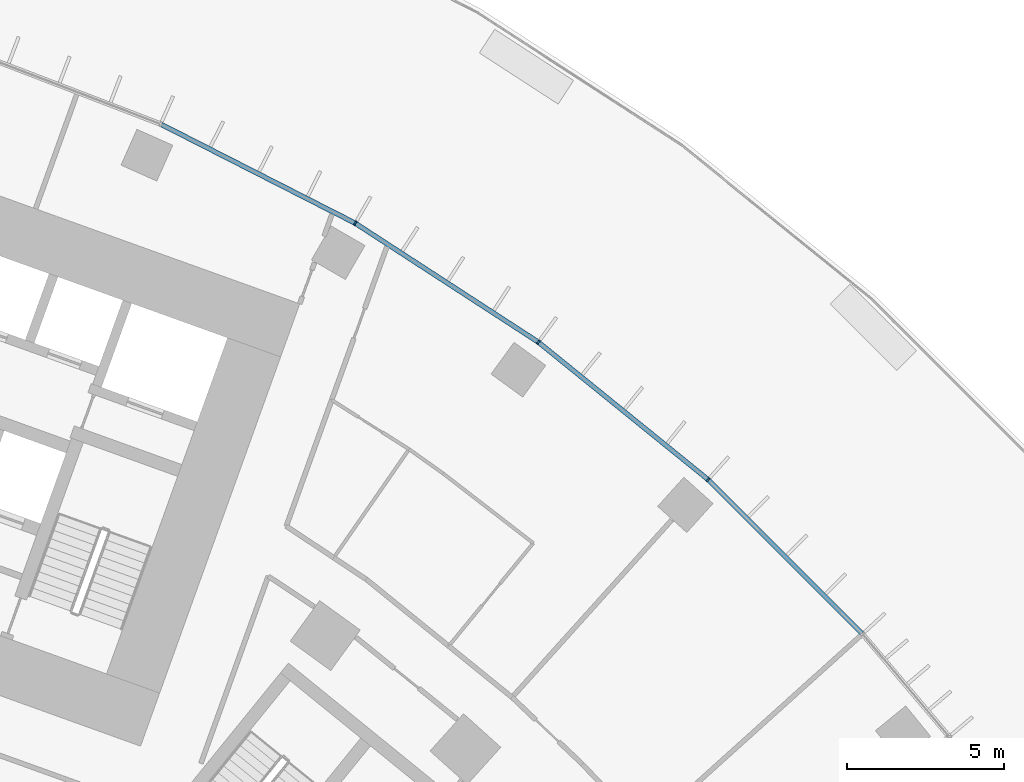
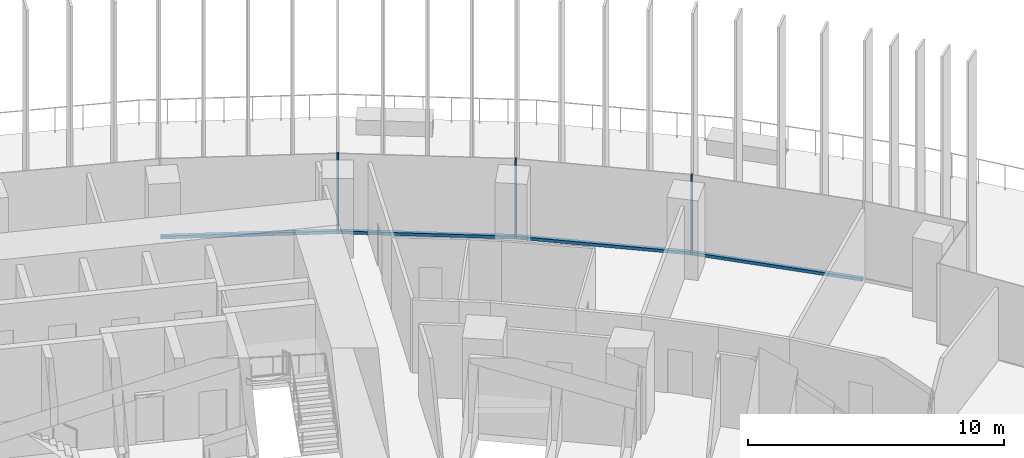
# One storey, part 11 of 24: 7 members, 1 element without a shape of its own.
"""IFC4 building model written with IfcOpenShell, lengths in metres."""

import ifcopenshell
import ifcopenshell.guid

model = None  # the IFC model being written
_history = None  # IfcOwnerHistory: only IFC2X3 demands one
_inside = {}  # id of a spatial element -> (the spatial element, [elements in it])
_under = {}  # id of a project, library or spatial element -> (it, [spatial elements below it])
_declared = {}  # id of a project -> (the project, [libraries it declares])
_typed = {}  # id of a type object -> (the type object, [elements of that type])
_made_of = {}  # id of a material, layer set ... -> (it, [elements and type objects made of it])


def new_model(schema):
    """Start an empty IFC model of exactly this schema.

    Asked for "IFC4X3", IfcOpenShell would pick the latest addendum, in which some entities
    have other attributes; the version numbers below select the first issue.
    IFC2X3 requires an IfcOwnerHistory on every rooted entity: one is made here for all.
    """
    global model, _history
    if schema == "IFC4X3":
        model = ifcopenshell.file(schema_version=(4, 3, 0, 0))
    else:
        model = ifcopenshell.file(schema=schema)
    _inside.clear()
    _under.clear()
    _declared.clear()
    _typed.clear()
    _made_of.clear()
    _history = None
    if model.schema == "IFC2X3":
        org = make("IfcOrganization", Name="unknown")
        user = make(
            "IfcPersonAndOrganization",
            ThePerson=make("IfcPerson", FamilyName="unknown"),
            TheOrganization=org,
        )
        app = make(
            "IfcApplication",
            ApplicationDeveloper=org,
            Version="unknown",
            ApplicationFullName="unknown",
            ApplicationIdentifier="unknown",
        )
        _history = make(
            "IfcOwnerHistory",
            OwningUser=user,
            OwningApplication=app,
            ChangeAction="ADDED",
            CreationDate=0,
        )
    return model


def make(cls, **values):
    """One entity of the class cls with the attributes given. An attribute that is None is left unset."""
    return model.create_entity(
        cls, **{name: value for name, value in values.items() if value is not None}
    )


def rooted(cls, **values):
    """An entity with a GlobalId (a new one), such as an element, a storey or a relation."""
    return make(cls, GlobalId=ifcopenshell.guid.new(), OwnerHistory=_history, **values)


def si_unit(unit_type, name, prefix=None):
    """IfcSIUnit, for example si_unit("LENGTHUNIT", "METRE", prefix="MILLI")."""
    return make("IfcSIUnit", UnitType=unit_type, Prefix=prefix, Name=name)


def assignment(units):
    """IfcUnitAssignment: the units of a project."""
    return None if units is None else make("IfcUnitAssignment", Units=units)


def point(xyz):
    """IfcCartesianPoint."""
    return None if xyz is None else make("IfcCartesianPoint", Coordinates=xyz)


def direction(xyz):
    """IfcDirection."""
    return None if xyz is None else make("IfcDirection", DirectionRatios=xyz)


def frame(location, z_axis=None, x_axis=None):
    """IfcAxis2Placement3D, a coordinate frame: its origin and axes. An axis left out is left unset."""
    return make(
        "IfcAxis2Placement3D",
        Location=point(location),
        Axis=direction(z_axis),
        RefDirection=direction(x_axis),
    )


def frame_2d(location, x_axis=None):
    """IfcAxis2Placement2D, a coordinate frame in the plane: its origin and x axis."""
    return make(
        "IfcAxis2Placement2D", Location=point(location), RefDirection=direction(x_axis)
    )


def origin():
    """The frame at (0, 0, 0) with its axes left unset."""
    return frame((0.0, 0.0, 0.0))


def origin_2d():
    """The frame at (0, 0) in the plane with its x axis left unset."""
    return frame_2d((0.0, 0.0))


def place(relative_to, where):
    """IfcLocalPlacement: puts the frame where relative to a parent placement (None: the world)."""
    return make(
        "IfcLocalPlacement", PlacementRelTo=relative_to, RelativePlacement=where
    )


def context(
    kind, dimensions, precision=None, world=None, true_north=None, identifier=None
):
    """IfcGeometricRepresentationContext, for example the 3D "Model" context."""
    return make(
        "IfcGeometricRepresentationContext",
        ContextIdentifier=identifier,
        ContextType=kind,
        CoordinateSpaceDimension=dimensions,
        Precision=precision,
        WorldCoordinateSystem=world,
        TrueNorth=true_north,
    )


def subcontext(parent, identifier, kind, view, scale=None):
    """IfcGeometricRepresentationSubContext, for example "Body" below "Model"."""
    return make(
        "IfcGeometricRepresentationSubContext",
        ContextIdentifier=identifier,
        ContextType=kind,
        ParentContext=parent,
        TargetScale=scale,
        TargetView=view,
    )


def project(units=None, contexts=None):
    """IfcProject with its units and contexts."""
    return rooted(
        "IfcProject",
        Name="project",
        RepresentationContexts=contexts,
        UnitsInContext=assignment(units),
    )


def spatial(cls, under=None, at=None, **own):
    """A site, building, storey or space (cls), placed at a placement, below another one or the project."""
    s = rooted(cls, ObjectPlacement=at, **own)
    if under is not None:
        _under.setdefault(under.id(), (under, []))[1].append(s)
    return s


def profile(cls, at=None, kind="AREA", **sizes):
    """A parametric profile (cls). Its sizes go by their IFC names, for example OverallWidth=200.0."""
    return make(cls, ProfileType=kind, Position=at, **sizes)


def rectangle(**sizes):
    """IfcRectangleProfileDef."""
    return profile("IfcRectangleProfileDef", **sizes)


def extrude(swept, where, along, depth):
    """IfcExtrudedAreaSolid: the profile swept, set in the frame where, extruded along a direction by depth."""
    return make(
        "IfcExtrudedAreaSolid",
        SweptArea=swept,
        Position=where,
        ExtrudedDirection=direction(along),
        Depth=depth,
    )


def shape(context_of_items, identifier, shape_type, items):
    """IfcShapeRepresentation: the items that make up one representation, for example the "Body"."""
    return make(
        "IfcShapeRepresentation",
        ContextOfItems=context_of_items,
        RepresentationIdentifier=identifier,
        RepresentationType=shape_type,
        Items=items,
    )


def material(Name=None, Category=None):
    """IfcMaterial."""
    return make("IfcMaterial", Name=Name, Category=Category)


def layer(
    of_material, thickness, ventilated=None, Name=None, Category=None, Priority=None
):
    """IfcMaterialLayer: one layer of a wall or slab, of a material (None: an air gap)."""
    return make(
        "IfcMaterialLayer",
        Material=of_material,
        LayerThickness=thickness,
        IsVentilated=ventilated,
        Name=Name,
        Category=Category,
        Priority=Priority,
    )


def layer_set(layers, Name=None):
    """IfcMaterialLayerSet."""
    return make("IfcMaterialLayerSet", MaterialLayers=layers, LayerSetName=Name)


def material_profile(
    of_material, cross_section, Name=None, Category=None, Priority=None
):
    """IfcMaterialProfile: a cross section and its material."""
    return make(
        "IfcMaterialProfile",
        Name=Name,
        Material=of_material,
        Profile=cross_section,
        Priority=Priority,
        Category=Category,
    )


def profile_set(profiles, Name=None, composite=None):
    """IfcMaterialProfileSet."""
    return make(
        "IfcMaterialProfileSet",
        Name=Name,
        MaterialProfiles=profiles,
        CompositeProfile=composite,
    )


def made_of(thing, what):
    """Note that an element or type object is made of a material, layer set ...; save() writes the relation."""
    if what is not None:
        _made_of.setdefault(what.id(), (what, []))[1].append(thing)
    return thing


def type_object(cls, material=None, **own):
    """A type object (cls), such as IfcWallType, which elements share."""
    return made_of(rooted(cls, **own), material)


def element(
    cls,
    number,
    at=None,
    inside=None,
    cuts=None,
    type_object=None,
    material=None,
    context=None,
    identifier="Body",
    shape_type=None,
    held_by="IfcProductDefinitionShape",
    body=None,
    shapes=None,
    **own,
):
    """One element of the class cls, such as IfcWall. Its Tag is "e" and its number.

    at: its placement. inside: the storey or other place that contains it. cuts: it is an
    opening in that element (IfcRelVoidsElement). A single representation is given by context,
    identifier, shape_type and body (its items); several are given by shapes. held_by: the class
    of the entity that holds the representations. save() writes the other relations.
    """
    e = rooted(cls, Tag="e%d" % number, ObjectPlacement=at, **own)
    if body is not None:
        shapes = [shape(context, identifier, shape_type, body)]
    if shapes is not None:
        e.Representation = make(held_by, Representations=shapes)
    if inside is not None:
        _inside.setdefault(inside.id(), (inside, []))[1].append(e)
    if cuts is not None:
        rooted(
            "IfcRelVoidsElement", RelatingBuildingElement=cuts, RelatedOpeningElement=e
        )
    if type_object is not None:
        _typed.setdefault(type_object.id(), (type_object, []))[1].append(e)
    return made_of(e, material)


def aggregate(whole, parts):
    """IfcRelAggregates: a whole, such as a stair, and the parts it consists of."""
    return rooted("IfcRelAggregates", RelatingObject=whole, RelatedObjects=parts)


def save(model, path):
    """Write the relations noted so far, then the file.

    IfcRelAggregates (storeys below a building ...), IfcRelContainedInSpatialStructure (elements
    in a storey), IfcRelDefinesByType, IfcRelAssociatesMaterial and IfcRelDeclares: one each for
    every whole, place, type object, material and project.
    """
    for whole, parts in _under.values():
        aggregate(whole, parts)
    for where, things in _inside.values():
        rooted(
            "IfcRelContainedInSpatialStructure",
            RelatedElements=things,
            RelatingStructure=where,
        )
    for kind, things in _typed.values():
        rooted("IfcRelDefinesByType", RelatedObjects=things, RelatingType=kind)
    for what, things in _made_of.values():
        rooted("IfcRelAssociatesMaterial", RelatedObjects=things, RelatingMaterial=what)
    for by, libraries in _declared.values():
        rooted("IfcRelDeclares", RelatingContext=by, RelatedDefinitions=libraries)
    model.write(path)


model = new_model("IFC4")

# Units and contexts
model_context = context("Model", 3, precision=1e-05, world=origin(), true_north=direction((0.0, 1.0)))
body_context = subcontext(model_context, "Body", "Model", "MODEL_VIEW")
ifc_project = project(units=[si_unit("LENGTHUNIT", "METRE"), si_unit("AREAUNIT", "SQUARE_METRE"), si_unit("VOLUMEUNIT", "CUBIC_METRE"), si_unit("PLANEANGLEUNIT", "RADIAN"), si_unit("MASSUNIT", "GRAM", prefix="KILO")], contexts=[model_context])

# Site, building, storey
site_placement = place(None, origin())
site = spatial("IfcSite", under=ifc_project, at=site_placement, CompositionType="ELEMENT")
building_placement = place(site_placement, origin())
building = spatial("IfcBuilding", under=site, at=building_placement, Name="Stone Belt Terrace Tower", CompositionType="ELEMENT")
storey_placement = place(building_placement, frame((0.0, 0.0, 30.0)))
storey = spatial("IfcBuildingStorey", under=building, at=storey_placement, Name="L06", CompositionType="ELEMENT", Elevation=30.0)

# Curtain wall, members
ifc_material = material(Name="Aluminium 6063-T6 anodised frame", Category="aluminium")
ifc_layer = layer(ifc_material, 0.14990234375)
ifc_layer_set = layer_set([ifc_layer], Name="CW-A unitised convex-face curtain wall")
curtain_wall_type = type_object("IfcCurtainWallType", Name="CW-A unitised convex-face curtain wall", PredefinedType="NOTDEFINED", material=ifc_layer_set)
curtain_wall_placement = place(storey_placement, origin())
curtain_wall = element("IfcCurtainWall", 1, at=curtain_wall_placement, inside=storey, type_object=curtain_wall_type, Name="CW-A convex face L06", PredefinedType="NOTDEFINED")
ifc_material_profile_1 = material_profile(ifc_material, rectangle(XDim=0.14990234375, YDim=0.06005859375, at=origin_2d()), Name="Aluminium 6063-T6 60x150")
ifc_profile_set_1 = profile_set([ifc_material_profile_1], Name="Aluminium 6063-T6 anodised frame")
member_type_1 = type_object("IfcMemberType", Name="CW-A mullion 60 x 150", PredefinedType="MULLION", material=ifc_profile_set_1)
member_1_placement = place(storey_placement, frame((44.54736328125, 49.474853515625, 0.0), z_axis=(0.0, 0.0, 1.0), x_axis=(-0.669130606359, -0.743144825477, 0.0)))
member_1 = element("IfcMember", 2, at=member_1_placement, type_object=member_type_1, Name="CW-A mullion 3", PredefinedType="MULLION", context=body_context, shape_type="SweptSolid", body=[
    extrude(rectangle(XDim=0.14990234375, YDim=0.06005859375, at=origin_2d()), origin(), (0.0, 0.0, 1.0), 3.800048828125),
])
member_2_placement = place(storey_placement, frame((39.1318359375, 53.8603515625, 0.0), z_axis=(0.0, 0.0, 1.0), x_axis=(-0.587785252292, -0.809016994375, 0.0)))
member_2 = element("IfcMember", 3, at=member_2_placement, type_object=member_type_1, Name="CW-A mullion 4", PredefinedType="MULLION", context=body_context, shape_type="SweptSolid", body=[
    extrude(rectangle(XDim=0.14990234375, YDim=0.06005859375, at=origin_2d()), origin(), (0.0, 0.0, 1.0), 3.800048828125),
])
member_3_placement = place(storey_placement, frame((33.28759765625, 57.65576171875, 0.0), z_axis=(0.0, 0.0, 1.0), x_axis=(-0.5, -0.866025403784, 0.0)))
member_3 = element("IfcMember", 4, at=member_3_placement, type_object=member_type_1, Name="CW-A mullion 5", PredefinedType="MULLION", context=body_context, shape_type="SweptSolid", body=[
    extrude(rectangle(XDim=0.14990234375, YDim=0.06005859375, at=origin_2d()), origin(), (0.0, 0.0, 1.0), 3.800048828125),
])
ifc_material_profile_2 = material_profile(ifc_material, rectangle(XDim=0.14990234375, YDim=0.139892578125, at=origin_2d()), Name="Aluminium 6063-T6 150x140")
ifc_profile_set_2 = profile_set([ifc_material_profile_2], Name="Aluminium 6063-T6 anodised frame")
member_type_2 = type_object("IfcMemberType", Name="CW-A transom 140 x 150", PredefinedType="USERDEFINED", material=ifc_profile_set_2)
member_4_placement = place(storey_placement, frame((49.450927734375, 44.5712890625, 0.070068359375), z_axis=(-0.707106781187, 0.707106781187, 0.0), x_axis=(-0.707106781187, -0.707106781187, 0.0)))
member_4 = element("IfcMember", 5, at=member_4_placement, type_object=member_type_2, Name="CW-A transom 2.1", ObjectType="TRANSOM", PredefinedType="USERDEFINED", context=body_context, shape_type="SweptSolid", body=[
    extrude(rectangle(XDim=0.14990234375, YDim=0.139892578125, at=origin_2d()), origin(), (0.0, 0.0, 1.0), 6.90087890625),
])
member_5_placement = place(storey_placement, frame((44.52099609375, 49.496337890625, 0.070068359375), z_axis=(-0.777141048626, 0.629326457842, 0.0), x_axis=(-0.629326457842, -0.777141048626, 0.0)))
member_5 = element("IfcMember", 6, at=member_5_placement, type_object=member_type_2, Name="CW-A transom 3.1", ObjectType="TRANSOM", PredefinedType="USERDEFINED", context=body_context, shape_type="SweptSolid", body=[
    extrude(rectangle(XDim=0.14990234375, YDim=0.139892578125, at=origin_2d()), origin(), (0.0, 0.0, 1.0), 6.900634765625),
])
member_6_placement = place(storey_placement, frame((39.103515625, 53.87890625, 0.070068359375), z_axis=(-0.83868440714, 0.544617723931, 0.0), x_axis=(-0.544617723931, -0.83868440714, 0.0)))
member_6 = element("IfcMember", 7, at=member_6_placement, type_object=member_type_2, Name="CW-A transom 4.1", ObjectType="TRANSOM", PredefinedType="USERDEFINED", context=body_context, shape_type="SweptSolid", body=[
    extrude(rectangle(XDim=0.14990234375, YDim=0.139892578125, at=origin_2d()), origin(), (0.0, 0.0, 1.0), 6.90087890625),
])
member_7_placement = place(storey_placement, frame((33.25732421875, 57.671142578125, 0.070068359375), z_axis=(-0.891012226264, 0.453979308613, 0.0), x_axis=(-0.453979308613, -0.891012226264, 0.0)))
member_7 = element("IfcMember", 8, at=member_7_placement, type_object=member_type_2, Name="CW-A transom 5.1", ObjectType="TRANSOM", PredefinedType="USERDEFINED", context=body_context, shape_type="SweptSolid", body=[
    extrude(rectangle(XDim=0.14990234375, YDim=0.139892578125, at=origin_2d()), origin(), (0.0, 0.0, 1.0), 6.90087890625),
])
aggregate(curtain_wall, [member_1, member_2, member_3, member_4, member_5, member_6, member_7])

save(model, "model.ifc")
